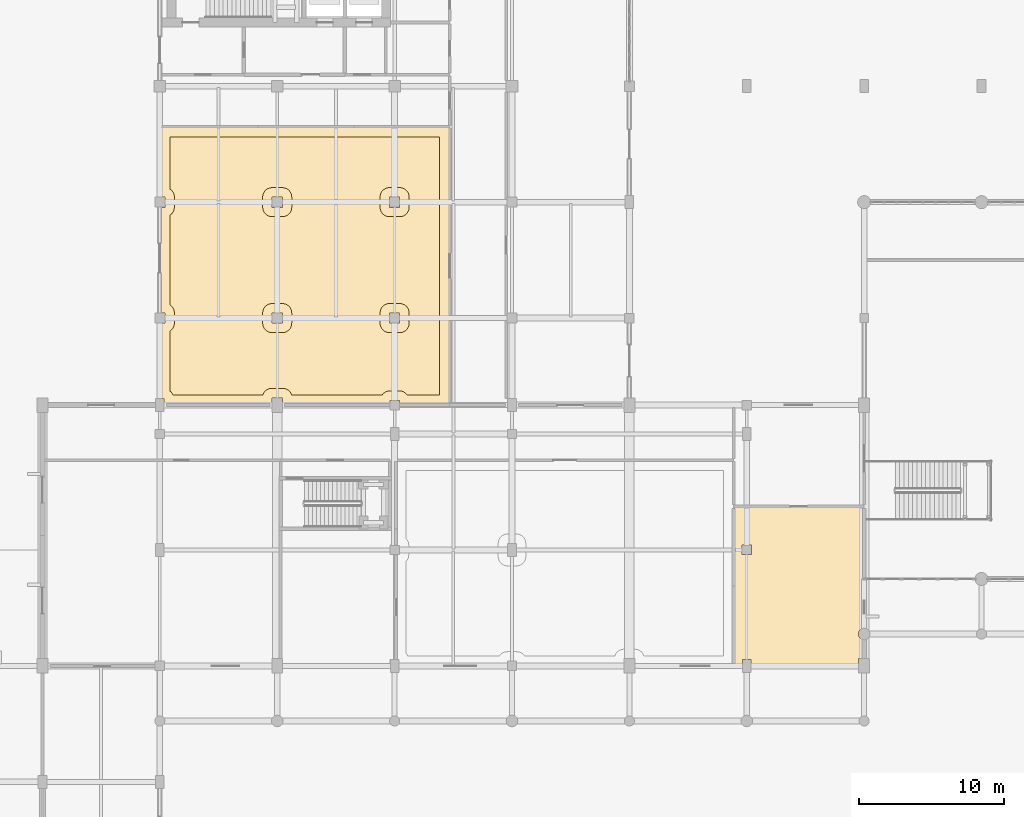
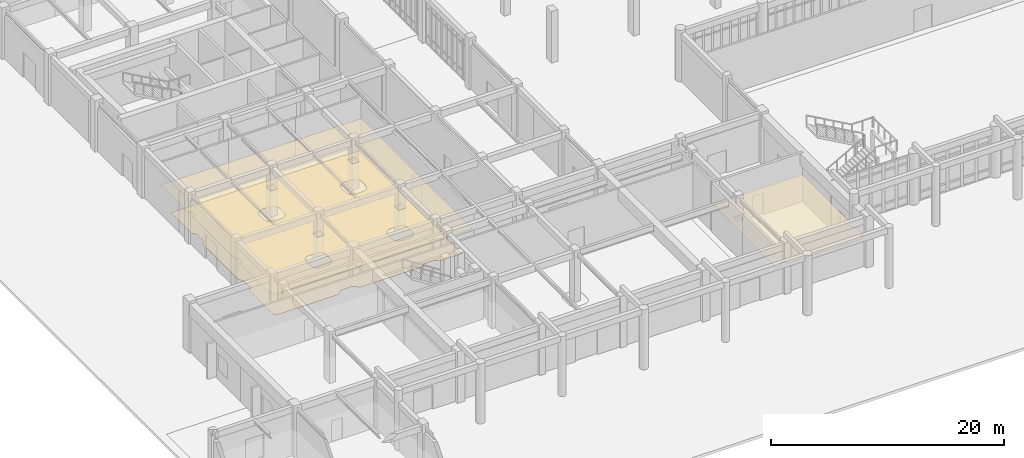
# One storey, part 52 of 62: 3 coverings.
"""IFC4 building model written with IfcOpenShell, lengths in metres."""

import ifcopenshell
import ifcopenshell.guid

model = None  # the IFC model being written
_history = None  # IfcOwnerHistory: only IFC2X3 demands one
_inside = {}  # id of a spatial element -> (the spatial element, [elements in it])
_under = {}  # id of a project, library or spatial element -> (it, [spatial elements below it])
_declared = {}  # id of a project -> (the project, [libraries it declares])
_typed = {}  # id of a type object -> (the type object, [elements of that type])
_made_of = {}  # id of a material, layer set ... -> (it, [elements and type objects made of it])


def new_model(schema):
    """Start an empty IFC model of exactly this schema.

    Asked for "IFC4X3", IfcOpenShell would pick the latest addendum, in which some entities
    have other attributes; the version numbers below select the first issue.
    IFC2X3 requires an IfcOwnerHistory on every rooted entity: one is made here for all.
    """
    global model, _history
    if schema == "IFC4X3":
        model = ifcopenshell.file(schema_version=(4, 3, 0, 0))
    else:
        model = ifcopenshell.file(schema=schema)
    _inside.clear()
    _under.clear()
    _declared.clear()
    _typed.clear()
    _made_of.clear()
    _history = None
    if model.schema == "IFC2X3":
        org = make("IfcOrganization", Name="unknown")
        user = make(
            "IfcPersonAndOrganization",
            ThePerson=make("IfcPerson", FamilyName="unknown"),
            TheOrganization=org,
        )
        app = make(
            "IfcApplication",
            ApplicationDeveloper=org,
            Version="unknown",
            ApplicationFullName="unknown",
            ApplicationIdentifier="unknown",
        )
        _history = make(
            "IfcOwnerHistory",
            OwningUser=user,
            OwningApplication=app,
            ChangeAction="ADDED",
            CreationDate=0,
        )
    return model


def make(cls, **values):
    """One entity of the class cls with the attributes given. An attribute that is None is left unset."""
    return model.create_entity(
        cls, **{name: value for name, value in values.items() if value is not None}
    )


def rooted(cls, **values):
    """An entity with a GlobalId (a new one), such as an element, a storey or a relation."""
    return make(cls, GlobalId=ifcopenshell.guid.new(), OwnerHistory=_history, **values)


def si_unit(unit_type, name, prefix=None):
    """IfcSIUnit, for example si_unit("LENGTHUNIT", "METRE", prefix="MILLI")."""
    return make("IfcSIUnit", UnitType=unit_type, Prefix=prefix, Name=name)


def assignment(units):
    """IfcUnitAssignment: the units of a project."""
    return None if units is None else make("IfcUnitAssignment", Units=units)


def point(xyz):
    """IfcCartesianPoint."""
    return None if xyz is None else make("IfcCartesianPoint", Coordinates=xyz)


def direction(xyz):
    """IfcDirection."""
    return None if xyz is None else make("IfcDirection", DirectionRatios=xyz)


def frame(location, z_axis=None, x_axis=None):
    """IfcAxis2Placement3D, a coordinate frame: its origin and axes. An axis left out is left unset."""
    return make(
        "IfcAxis2Placement3D",
        Location=point(location),
        Axis=direction(z_axis),
        RefDirection=direction(x_axis),
    )


def origin():
    """The frame at (0, 0, 0) with its axes left unset."""
    return frame((0.0, 0.0, 0.0))


def place(relative_to, where):
    """IfcLocalPlacement: puts the frame where relative to a parent placement (None: the world)."""
    return make(
        "IfcLocalPlacement", PlacementRelTo=relative_to, RelativePlacement=where
    )


def context(
    kind, dimensions, precision=None, world=None, true_north=None, identifier=None
):
    """IfcGeometricRepresentationContext, for example the 3D "Model" context."""
    return make(
        "IfcGeometricRepresentationContext",
        ContextIdentifier=identifier,
        ContextType=kind,
        CoordinateSpaceDimension=dimensions,
        Precision=precision,
        WorldCoordinateSystem=world,
        TrueNorth=true_north,
    )


def subcontext(parent, identifier, kind, view, scale=None):
    """IfcGeometricRepresentationSubContext, for example "Body" below "Model"."""
    return make(
        "IfcGeometricRepresentationSubContext",
        ContextIdentifier=identifier,
        ContextType=kind,
        ParentContext=parent,
        TargetScale=scale,
        TargetView=view,
    )


def project(units=None, contexts=None):
    """IfcProject with its units and contexts."""
    return rooted(
        "IfcProject",
        Name="project",
        RepresentationContexts=contexts,
        UnitsInContext=assignment(units),
    )


def spatial(cls, under=None, at=None, **own):
    """A site, building, storey or space (cls), placed at a placement, below another one or the project."""
    s = rooted(cls, ObjectPlacement=at, **own)
    if under is not None:
        _under.setdefault(under.id(), (under, []))[1].append(s)
    return s


def polyline(points):
    """IfcPolyline through the points."""
    return make("IfcPolyline", Points=[point(p) for p in points])


def outline(outer, holes=None, kind="AREA"):
    """IfcArbitraryClosedProfileDef: a profile drawn as a closed curve; with holes, ...WithVoids."""
    if holes is None:
        return make("IfcArbitraryClosedProfileDef", ProfileType=kind, OuterCurve=outer)
    return make(
        "IfcArbitraryProfileDefWithVoids",
        ProfileType=kind,
        OuterCurve=outer,
        InnerCurves=holes,
    )


def extrude(swept, where, along, depth):
    """IfcExtrudedAreaSolid: the profile swept, set in the frame where, extruded along a direction by depth."""
    return make(
        "IfcExtrudedAreaSolid",
        SweptArea=swept,
        Position=where,
        ExtrudedDirection=direction(along),
        Depth=depth,
    )


def shape(context_of_items, identifier, shape_type, items):
    """IfcShapeRepresentation: the items that make up one representation, for example the "Body"."""
    return make(
        "IfcShapeRepresentation",
        ContextOfItems=context_of_items,
        RepresentationIdentifier=identifier,
        RepresentationType=shape_type,
        Items=items,
    )


def material(Name=None, Category=None):
    """IfcMaterial."""
    return make("IfcMaterial", Name=Name, Category=Category)


def layer(
    of_material, thickness, ventilated=None, Name=None, Category=None, Priority=None
):
    """IfcMaterialLayer: one layer of a wall or slab, of a material (None: an air gap)."""
    return make(
        "IfcMaterialLayer",
        Material=of_material,
        LayerThickness=thickness,
        IsVentilated=ventilated,
        Name=Name,
        Category=Category,
        Priority=Priority,
    )


def layer_set(layers, Name=None):
    """IfcMaterialLayerSet."""
    return make("IfcMaterialLayerSet", MaterialLayers=layers, LayerSetName=Name)


def made_of(thing, what):
    """Note that an element or type object is made of a material, layer set ...; save() writes the relation."""
    if what is not None:
        _made_of.setdefault(what.id(), (what, []))[1].append(thing)
    return thing


def type_object(cls, material=None, **own):
    """A type object (cls), such as IfcWallType, which elements share."""
    return made_of(rooted(cls, **own), material)


def element(
    cls,
    number,
    at=None,
    inside=None,
    cuts=None,
    type_object=None,
    material=None,
    context=None,
    identifier="Body",
    shape_type=None,
    held_by="IfcProductDefinitionShape",
    body=None,
    shapes=None,
    **own,
):
    """One element of the class cls, such as IfcWall. Its Tag is "e" and its number.

    at: its placement. inside: the storey or other place that contains it. cuts: it is an
    opening in that element (IfcRelVoidsElement). A single representation is given by context,
    identifier, shape_type and body (its items); several are given by shapes. held_by: the class
    of the entity that holds the representations. save() writes the other relations.
    """
    e = rooted(cls, Tag="e%d" % number, ObjectPlacement=at, **own)
    if body is not None:
        shapes = [shape(context, identifier, shape_type, body)]
    if shapes is not None:
        e.Representation = make(held_by, Representations=shapes)
    if inside is not None:
        _inside.setdefault(inside.id(), (inside, []))[1].append(e)
    if cuts is not None:
        rooted(
            "IfcRelVoidsElement", RelatingBuildingElement=cuts, RelatedOpeningElement=e
        )
    if type_object is not None:
        _typed.setdefault(type_object.id(), (type_object, []))[1].append(e)
    return made_of(e, material)


def aggregate(whole, parts):
    """IfcRelAggregates: a whole, such as a stair, and the parts it consists of."""
    return rooted("IfcRelAggregates", RelatingObject=whole, RelatedObjects=parts)


def save(model, path):
    """Write the relations noted so far, then the file.

    IfcRelAggregates (storeys below a building ...), IfcRelContainedInSpatialStructure (elements
    in a storey), IfcRelDefinesByType, IfcRelAssociatesMaterial and IfcRelDeclares: one each for
    every whole, place, type object, material and project.
    """
    for whole, parts in _under.values():
        aggregate(whole, parts)
    for where, things in _inside.values():
        rooted(
            "IfcRelContainedInSpatialStructure",
            RelatedElements=things,
            RelatingStructure=where,
        )
    for kind, things in _typed.values():
        rooted("IfcRelDefinesByType", RelatedObjects=things, RelatingType=kind)
    for what, things in _made_of.values():
        rooted("IfcRelAssociatesMaterial", RelatedObjects=things, RelatingMaterial=what)
    for by, libraries in _declared.values():
        rooted("IfcRelDeclares", RelatingContext=by, RelatedDefinitions=libraries)
    model.write(path)


model = new_model("IFC4")

# Units and contexts
model_context = context("Model", 3, precision=1e-05, world=origin(), true_north=direction((0.0, 1.0)))
body_context = subcontext(model_context, "Body", "Model", "MODEL_VIEW")
ifc_project = project(units=[si_unit("LENGTHUNIT", "METRE"), si_unit("AREAUNIT", "SQUARE_METRE"), si_unit("VOLUMEUNIT", "CUBIC_METRE"), si_unit("PLANEANGLEUNIT", "RADIAN"), si_unit("MASSUNIT", "GRAM", prefix="KILO")], contexts=[model_context])

# Site, building, storey
site_placement = place(None, origin())
site = spatial("IfcSite", under=ifc_project, at=site_placement, CompositionType="ELEMENT")
building_placement = place(site_placement, origin())
building = spatial("IfcBuilding", under=site, at=building_placement, Name="Tarnveldt Square Police Headquarters", CompositionType="ELEMENT")
storey_placement = place(building_placement, origin())
storey = spatial("IfcBuildingStorey", under=building, at=storey_placement, Name="L00", CompositionType="ELEMENT", Elevation=0.0)

# Coverings
ifc_material_1 = material(Name="Mineral-fibre acoustic ceiling tile", Category="gypsum")
ifc_layer_1 = layer(ifc_material_1, 0.02001953125)
ifc_layer_set_1 = layer_set([ifc_layer_1], Name="Mineral-fibre acoustic ceiling tile")
covering_type_1 = type_object("IfcCoveringType", Name="COV-CEIL-20", PredefinedType="CEILING", material=ifc_layer_set_1)
covering_1_placement = place(storey_placement, frame((0.0, 0.0, 2.75)))
element("IfcCovering", 1, at=covering_1_placement, inside=storey, type_object=covering_type_1, Name="Central Alarm and Control Facility (Fire Command Room) Acoustic Ceiling", PredefinedType="CEILING", context=body_context, shape_type="SweptSolid", body=[
    extrude(outline(polyline([(64.75, 16.501953125), (64.423095703125, 16.501953125), (64.423095703125, 16.050048828125), (57.001953125, 16.050048828125), (57.001953125, 16.451904296875), (56.39794921875, 16.451904296875), (56.39794921875, 16.050048828125), (55.85009765625, 16.050048828125), (55.85009765625, 26.949951171875), (64.75, 26.949951171875), (64.75, 18.598388671875), (64.7216796875, 18.59423828125), (64.683349609375, 18.584716796875), (64.646240234375, 18.5712890625), (64.610595703125, 18.554443359375), (64.57666015625, 18.5341796875), (64.544921875, 18.5107421875), (64.515625, 18.484375), (64.4892578125, 18.455078125), (64.4658203125, 18.42333984375), (64.445556640625, 18.389404296875), (64.4287109375, 18.353759765625), (64.415283203125, 18.316650390625), (64.40576171875, 18.2783203125), (64.39990234375, 18.239501953125), (64.39794921875, 18.199951171875), (64.39990234375, 18.16064453125), (64.40576171875, 18.12158203125), (64.415283203125, 18.083251953125), (64.4287109375, 18.046142578125), (64.445556640625, 18.010498046875), (64.4658203125, 17.9765625), (64.4892578125, 17.945068359375), (64.515625, 17.915771484375), (64.544921875, 17.88916015625), (64.57666015625, 17.86572265625), (64.610595703125, 17.845458984375), (64.646240234375, 17.82861328125), (64.683349609375, 17.8154296875), (64.7216796875, 17.8056640625), (64.75, 17.801513671875), (64.75, 16.501953125)]), holes=[polyline([(57.027099609375, 24.326904296875), (56.373046875, 24.326904296875), (56.373046875, 23.673095703125), (57.027099609375, 23.673095703125), (57.027099609375, 24.326904296875)])]), origin(), (0.0, 0.0, 1.0), 0.02001953125),
])
covering_2_placement = place(storey_placement, frame((0.0, 0.0, 2.75)))
element("IfcCovering", 2, at=covering_2_placement, inside=storey, type_object=covering_type_1, Name="Patrol Parade Briefing Room Acoustic Ceiling", PredefinedType="CEILING", context=body_context, shape_type="SweptSolid", body=[
    extrude(outline(polyline([(16.25, 53.14990234375), (36.14990234375, 53.14990234375), (36.14990234375, 34.050048828125), (32.72705078125, 34.050048828125), (32.72705078125, 34.326904296875), (32.072998046875, 34.326904296875), (32.072998046875, 34.050048828125), (24.677001953125, 34.050048828125), (24.677001953125, 34.501953125), (23.923095703125, 34.501953125), (23.923095703125, 34.050048828125), (16.501953125, 34.050048828125), (16.501953125, 34.451904296875), (16.25, 34.451904296875), (16.25, 39.64794921875), (16.552001953125, 39.64794921875), (16.552001953125, 40.35205078125), (16.25, 40.35205078125), (16.25, 47.64794921875), (16.552001953125, 47.64794921875), (16.552001953125, 48.35205078125), (16.25, 48.35205078125), (16.25, 53.14990234375)]), holes=[polyline([(32.751953125, 40.35205078125), (32.048095703125, 40.35205078125), (32.048095703125, 39.64794921875), (32.751953125, 39.64794921875), (32.751953125, 40.35205078125)]), polyline([(32.751953125, 48.35205078125), (32.048095703125, 48.35205078125), (32.048095703125, 47.64794921875), (32.751953125, 47.64794921875), (32.751953125, 48.35205078125)]), polyline([(24.652099609375, 48.35205078125), (23.947998046875, 48.35205078125), (23.947998046875, 47.64794921875), (24.652099609375, 47.64794921875), (24.652099609375, 48.35205078125)]), polyline([(24.652099609375, 40.35205078125), (23.947998046875, 40.35205078125), (23.947998046875, 39.64794921875), (24.652099609375, 39.64794921875), (24.652099609375, 40.35205078125)])]), origin(), (0.0, 0.0, 1.0), 0.02001953125),
])
ifc_material_2 = material(Name="Polished cementitious terrazzo flooring", Category="concrete")
ifc_layer_2 = layer(ifc_material_2, 0.02490234375)
ifc_layer_set_2 = layer_set([ifc_layer_2], Name="Polished cementitious terrazzo flooring")
covering_type_2 = type_object("IfcCoveringType", Name="COV-FLR-25", PredefinedType="FLOORING", material=ifc_layer_set_2)
covering_3_placement = place(storey_placement, origin())
element("IfcCovering", 3, at=covering_3_placement, inside=storey, type_object=covering_type_2, Name="Patrol Parade Briefing Room Terrazzo Finish Flooring", PredefinedType="FLOORING", context=body_context, shape_type="SweptSolid", body=[
    extrude(outline(polyline([(16.89990234375, 34.965087890625), (16.89990234375, 39.099609375), (16.9130859375, 39.107666015625), (16.96435546875, 39.1455078125), (17.01171875, 39.1884765625), (17.054443359375, 39.235595703125), (17.092529296875, 39.286865234375), (17.125244140625, 39.341552734375), (17.152587890625, 39.399169921875), (17.174072265625, 39.459228515625), (17.189453125, 39.521240234375), (17.198974609375, 39.584228515625), (17.201904296875, 39.64794921875), (17.201904296875, 40.35205078125), (17.198974609375, 40.415771484375), (17.189453125, 40.478759765625), (17.174072265625, 40.540771484375), (17.152587890625, 40.600830078125), (17.125244140625, 40.658447265625), (17.092529296875, 40.713134765625), (17.054443359375, 40.764404296875), (17.01171875, 40.8115234375), (16.96435546875, 40.8544921875), (16.9130859375, 40.892333984375), (16.89990234375, 40.900390625), (16.89990234375, 47.099609375), (16.9130859375, 47.107666015625), (16.96435546875, 47.1455078125), (17.01171875, 47.1884765625), (17.054443359375, 47.235595703125), (17.092529296875, 47.286865234375), (17.125244140625, 47.341552734375), (17.152587890625, 47.399169921875), (17.174072265625, 47.459228515625), (17.189453125, 47.521240234375), (17.198974609375, 47.584228515625), (17.201904296875, 47.64794921875), (17.201904296875, 48.35205078125), (17.198974609375, 48.415771484375), (17.189453125, 48.478759765625), (17.174072265625, 48.540771484375), (17.152587890625, 48.600830078125), (17.125244140625, 48.658447265625), (17.092529296875, 48.713134765625), (17.054443359375, 48.764404296875), (17.01171875, 48.8115234375), (16.96435546875, 48.8544921875), (16.9130859375, 48.892333984375), (16.89990234375, 48.900390625), (16.89990234375, 52.5), (35.5, 52.5), (35.5, 34.699951171875), (33.258544921875, 34.699951171875), (33.2294921875, 34.7392578125), (33.1865234375, 34.78662109375), (33.139404296875, 34.829345703125), (33.088134765625, 34.867431640625), (33.033447265625, 34.900146484375), (32.975830078125, 34.927490234375), (32.915771484375, 34.948974609375), (32.853759765625, 34.964599609375), (32.790771484375, 34.973876953125), (32.72705078125, 34.97705078125), (32.072998046875, 34.97705078125), (32.00927734375, 34.973876953125), (31.9462890625, 34.964599609375), (31.88427734375, 34.948974609375), (31.82421875, 34.927490234375), (31.7666015625, 34.900146484375), (31.7119140625, 34.867431640625), (31.66064453125, 34.829345703125), (31.61328125, 34.78662109375), (31.570556640625, 34.7392578125), (31.541259765625, 34.699951171875), (25.295654296875, 34.699951171875), (25.277587890625, 34.750732421875), (25.250244140625, 34.808349609375), (25.217529296875, 34.863037109375), (25.179443359375, 34.914306640625), (25.13671875, 34.961669921875), (25.08935546875, 35.00439453125), (25.0380859375, 35.04248046875), (24.9833984375, 35.0751953125), (24.92578125, 35.1025390625), (24.86572265625, 35.1240234375), (24.8037109375, 35.139404296875), (24.74072265625, 35.14892578125), (24.677001953125, 35.152099609375), (23.923095703125, 35.152099609375), (23.859375, 35.14892578125), (23.796142578125, 35.139404296875), (23.734375, 35.1240234375), (23.67431640625, 35.1025390625), (23.61669921875, 35.0751953125), (23.561767578125, 35.04248046875), (23.5107421875, 35.00439453125), (23.46337890625, 34.961669921875), (23.420654296875, 34.914306640625), (23.382568359375, 34.863037109375), (23.349853515625, 34.808349609375), (23.322509765625, 34.750732421875), (23.304443359375, 34.699951171875), (17.102783203125, 34.699951171875), (17.1025390625, 34.70068359375), (17.0751953125, 34.75830078125), (17.04248046875, 34.813232421875), (17.00439453125, 34.8642578125), (16.961669921875, 34.91162109375), (16.914306640625, 34.954345703125), (16.89990234375, 34.965087890625)]), holes=[polyline([(33.402099609375, 40.35205078125), (33.39892578125, 40.415771484375), (33.389404296875, 40.478759765625), (33.3740234375, 40.540771484375), (33.3525390625, 40.600830078125), (33.3251953125, 40.658447265625), (33.29248046875, 40.713134765625), (33.25439453125, 40.764404296875), (33.211669921875, 40.8115234375), (33.164306640625, 40.8544921875), (33.113037109375, 40.892333984375), (33.058349609375, 40.92529296875), (33.000732421875, 40.95263671875), (32.940673828125, 40.97412109375), (32.87890625, 40.989501953125), (32.815673828125, 40.998779296875), (32.751953125, 41.001953125), (32.048095703125, 41.001953125), (31.984375, 40.998779296875), (31.921142578125, 40.989501953125), (31.859375, 40.97412109375), (31.79931640625, 40.95263671875), (31.74169921875, 40.92529296875), (31.686767578125, 40.892333984375), (31.6357421875, 40.8544921875), (31.58837890625, 40.8115234375), (31.545654296875, 40.764404296875), (31.507568359375, 40.713134765625), (31.474853515625, 40.658447265625), (31.447509765625, 40.600830078125), (31.426025390625, 40.540771484375), (31.410400390625, 40.478759765625), (31.401123046875, 40.415771484375), (31.39794921875, 40.35205078125), (31.39794921875, 39.64794921875), (31.401123046875, 39.584228515625), (31.410400390625, 39.521240234375), (31.426025390625, 39.459228515625), (31.447509765625, 39.399169921875), (31.474853515625, 39.341552734375), (31.507568359375, 39.286865234375), (31.545654296875, 39.235595703125), (31.58837890625, 39.1884765625), (31.6357421875, 39.1455078125), (31.686767578125, 39.107666015625), (31.74169921875, 39.07470703125), (31.79931640625, 39.04736328125), (31.859375, 39.02587890625), (31.921142578125, 39.010498046875), (31.984375, 39.001220703125), (32.048095703125, 38.998046875), (32.751953125, 38.998046875), (32.815673828125, 39.001220703125), (32.87890625, 39.010498046875), (32.940673828125, 39.02587890625), (33.000732421875, 39.04736328125), (33.058349609375, 39.07470703125), (33.113037109375, 39.107666015625), (33.164306640625, 39.1455078125), (33.211669921875, 39.1884765625), (33.25439453125, 39.235595703125), (33.29248046875, 39.286865234375), (33.3251953125, 39.341552734375), (33.3525390625, 39.399169921875), (33.3740234375, 39.459228515625), (33.389404296875, 39.521240234375), (33.39892578125, 39.584228515625), (33.402099609375, 39.64794921875), (33.402099609375, 40.35205078125)]), polyline([(33.402099609375, 48.35205078125), (33.39892578125, 48.415771484375), (33.389404296875, 48.478759765625), (33.3740234375, 48.540771484375), (33.3525390625, 48.600830078125), (33.3251953125, 48.658447265625), (33.29248046875, 48.713134765625), (33.25439453125, 48.764404296875), (33.211669921875, 48.8115234375), (33.164306640625, 48.8544921875), (33.113037109375, 48.892333984375), (33.058349609375, 48.92529296875), (33.000732421875, 48.95263671875), (32.940673828125, 48.97412109375), (32.87890625, 48.989501953125), (32.815673828125, 48.998779296875), (32.751953125, 49.001953125), (32.048095703125, 49.001953125), (31.984375, 48.998779296875), (31.921142578125, 48.989501953125), (31.859375, 48.97412109375), (31.79931640625, 48.95263671875), (31.74169921875, 48.92529296875), (31.686767578125, 48.892333984375), (31.6357421875, 48.8544921875), (31.58837890625, 48.8115234375), (31.545654296875, 48.764404296875), (31.507568359375, 48.713134765625), (31.474853515625, 48.658447265625), (31.447509765625, 48.600830078125), (31.426025390625, 48.540771484375), (31.410400390625, 48.478759765625), (31.401123046875, 48.415771484375), (31.39794921875, 48.35205078125), (31.39794921875, 47.64794921875), (31.401123046875, 47.584228515625), (31.410400390625, 47.521240234375), (31.426025390625, 47.459228515625), (31.447509765625, 47.399169921875), (31.474853515625, 47.341552734375), (31.507568359375, 47.286865234375), (31.545654296875, 47.235595703125), (31.58837890625, 47.1884765625), (31.6357421875, 47.1455078125), (31.686767578125, 47.107666015625), (31.74169921875, 47.07470703125), (31.79931640625, 47.04736328125), (31.859375, 47.02587890625), (31.921142578125, 47.010498046875), (31.984375, 47.001220703125), (32.048095703125, 46.998046875), (32.751953125, 46.998046875), (32.815673828125, 47.001220703125), (32.87890625, 47.010498046875), (32.940673828125, 47.02587890625), (33.000732421875, 47.04736328125), (33.058349609375, 47.07470703125), (33.113037109375, 47.107666015625), (33.164306640625, 47.1455078125), (33.211669921875, 47.1884765625), (33.25439453125, 47.235595703125), (33.29248046875, 47.286865234375), (33.3251953125, 47.341552734375), (33.3525390625, 47.399169921875), (33.3740234375, 47.459228515625), (33.389404296875, 47.521240234375), (33.39892578125, 47.584228515625), (33.402099609375, 47.64794921875), (33.402099609375, 48.35205078125)]), polyline([(25.302001953125, 40.35205078125), (25.298828125, 40.415771484375), (25.28955078125, 40.478759765625), (25.27392578125, 40.540771484375), (25.25244140625, 40.600830078125), (25.225341796875, 40.658447265625), (25.1923828125, 40.713134765625), (25.154541015625, 40.764404296875), (25.111572265625, 40.8115234375), (25.064453125, 40.8544921875), (25.01318359375, 40.892333984375), (24.95849609375, 40.92529296875), (24.900634765625, 40.95263671875), (24.840576171875, 40.97412109375), (24.77880859375, 40.989501953125), (24.7158203125, 40.998779296875), (24.652099609375, 41.001953125), (23.947998046875, 41.001953125), (23.88427734375, 40.998779296875), (23.8212890625, 40.989501953125), (23.75927734375, 40.97412109375), (23.69921875, 40.95263671875), (23.6416015625, 40.92529296875), (23.5869140625, 40.892333984375), (23.53564453125, 40.8544921875), (23.48828125, 40.8115234375), (23.445556640625, 40.764404296875), (23.407470703125, 40.713134765625), (23.374755859375, 40.658447265625), (23.347412109375, 40.600830078125), (23.325927734375, 40.540771484375), (23.310546875, 40.478759765625), (23.301025390625, 40.415771484375), (23.298095703125, 40.35205078125), (23.298095703125, 39.64794921875), (23.301025390625, 39.584228515625), (23.310546875, 39.521240234375), (23.325927734375, 39.459228515625), (23.347412109375, 39.399169921875), (23.374755859375, 39.341552734375), (23.407470703125, 39.286865234375), (23.445556640625, 39.235595703125), (23.48828125, 39.1884765625), (23.53564453125, 39.1455078125), (23.5869140625, 39.107666015625), (23.6416015625, 39.07470703125), (23.69921875, 39.04736328125), (23.75927734375, 39.02587890625), (23.8212890625, 39.010498046875), (23.88427734375, 39.001220703125), (23.947998046875, 38.998046875), (24.652099609375, 38.998046875), (24.7158203125, 39.001220703125), (24.77880859375, 39.010498046875), (24.840576171875, 39.02587890625), (24.900634765625, 39.04736328125), (24.95849609375, 39.07470703125), (25.01318359375, 39.107666015625), (25.064453125, 39.1455078125), (25.111572265625, 39.1884765625), (25.154541015625, 39.235595703125), (25.1923828125, 39.286865234375), (25.225341796875, 39.341552734375), (25.25244140625, 39.399169921875), (25.27392578125, 39.459228515625), (25.28955078125, 39.521240234375), (25.298828125, 39.584228515625), (25.302001953125, 39.64794921875), (25.302001953125, 40.35205078125)]), polyline([(25.302001953125, 48.35205078125), (25.298828125, 48.415771484375), (25.28955078125, 48.478759765625), (25.27392578125, 48.540771484375), (25.25244140625, 48.600830078125), (25.225341796875, 48.658447265625), (25.1923828125, 48.713134765625), (25.154541015625, 48.764404296875), (25.111572265625, 48.8115234375), (25.064453125, 48.8544921875), (25.01318359375, 48.892333984375), (24.95849609375, 48.92529296875), (24.900634765625, 48.95263671875), (24.840576171875, 48.97412109375), (24.77880859375, 48.989501953125), (24.7158203125, 48.998779296875), (24.652099609375, 49.001953125), (23.947998046875, 49.001953125), (23.88427734375, 48.998779296875), (23.8212890625, 48.989501953125), (23.75927734375, 48.97412109375), (23.69921875, 48.95263671875), (23.6416015625, 48.92529296875), (23.5869140625, 48.892333984375), (23.53564453125, 48.8544921875), (23.48828125, 48.8115234375), (23.445556640625, 48.764404296875), (23.407470703125, 48.713134765625), (23.374755859375, 48.658447265625), (23.347412109375, 48.600830078125), (23.325927734375, 48.540771484375), (23.310546875, 48.478759765625), (23.301025390625, 48.415771484375), (23.298095703125, 48.35205078125), (23.298095703125, 47.64794921875), (23.301025390625, 47.584228515625), (23.310546875, 47.521240234375), (23.325927734375, 47.459228515625), (23.347412109375, 47.399169921875), (23.374755859375, 47.341552734375), (23.407470703125, 47.286865234375), (23.445556640625, 47.235595703125), (23.48828125, 47.1884765625), (23.53564453125, 47.1455078125), (23.5869140625, 47.107666015625), (23.6416015625, 47.07470703125), (23.69921875, 47.04736328125), (23.75927734375, 47.02587890625), (23.8212890625, 47.010498046875), (23.88427734375, 47.001220703125), (23.947998046875, 46.998046875), (24.652099609375, 46.998046875), (24.7158203125, 47.001220703125), (24.77880859375, 47.010498046875), (24.840576171875, 47.02587890625), (24.900634765625, 47.04736328125), (24.95849609375, 47.07470703125), (25.01318359375, 47.107666015625), (25.064453125, 47.1455078125), (25.111572265625, 47.1884765625), (25.154541015625, 47.235595703125), (25.1923828125, 47.286865234375), (25.225341796875, 47.341552734375), (25.25244140625, 47.399169921875), (25.27392578125, 47.459228515625), (25.28955078125, 47.521240234375), (25.298828125, 47.584228515625), (25.302001953125, 47.64794921875), (25.302001953125, 48.35205078125)])]), origin(), (0.0, 0.0, 1.0), 0.02490234375),
])

save(model, "model.ifc")
